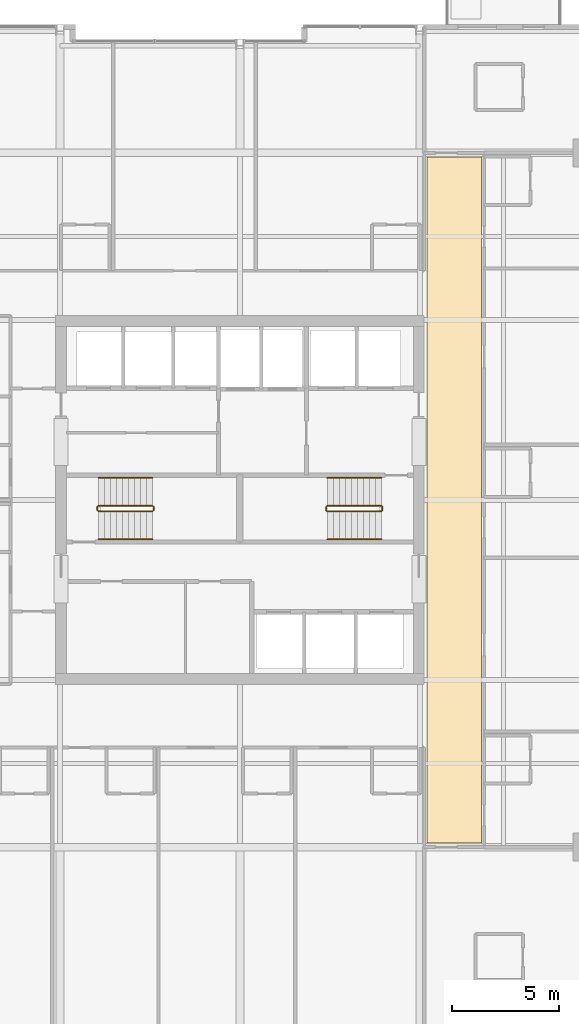
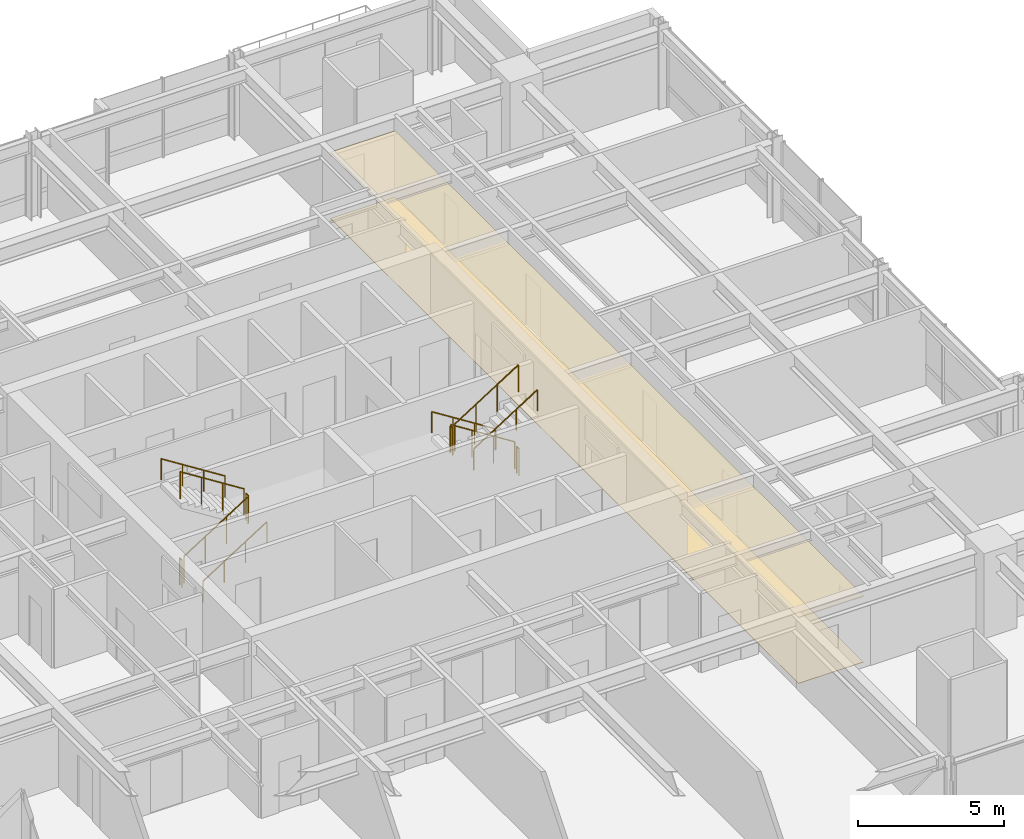
# One storey, part 32 of 33: 12 railings, 2 coverings.
"""IFC4 building model written with IfcOpenShell, lengths in metres."""

from ifc_helpers import new_model, si_unit, direction, frame, origin, origin_2d, place, context, subcontext, project, spatial, polyline, circle, outline, extrude, material, layer, layer_set, type_object, element, save


model = new_model("IFC4")

# Units and contexts
model_context = context("Model", 3, precision=1e-05, world=origin(), true_north=direction((0.0, 1.0)))
body_context = subcontext(model_context, "Body", "Model", "MODEL_VIEW")
ifc_project = project(units=[si_unit("LENGTHUNIT", "METRE"), si_unit("AREAUNIT", "SQUARE_METRE"), si_unit("VOLUMEUNIT", "CUBIC_METRE"), si_unit("PLANEANGLEUNIT", "RADIAN"), si_unit("MASSUNIT", "GRAM", prefix="KILO")], contexts=[model_context])

# Site, building, storey
site_placement = place(None, origin())
site = spatial("IfcSite", under=ifc_project, at=site_placement, CompositionType="ELEMENT")
building_placement = place(site_placement, origin())
building = spatial("IfcBuilding", under=site, at=building_placement, Name="Drelvath Grand Hotel", CompositionType="ELEMENT")
storey_placement = place(building_placement, frame((0.0, 0.0, 178.800048828125)))
storey = spatial("IfcBuildingStorey", under=building, at=storey_placement, Name="L46", CompositionType="ELEMENT", Elevation=178.800048828125)

# Railings
ifc_material_1 = material(Name="Painted Steel S275", Category="steel")
railing_type_1 = type_object("IfcRailingType", Name="Core Stair Wall Handrail 900", PredefinedType="HANDRAIL", material=ifc_material_1)
railing_1_placement = place(storey_placement, frame((-6.60009765625, 25.169921875, 0.177490234375)))
element("IfcRailing", 1, at=railing_1_placement, inside=storey, type_object=railing_type_1, Name="L46 ST-1 stair handrail 1", PredefinedType="HANDRAIL", context=body_context, shape_type="SweptSolid", body=[
    extrude(circle(Radius=0.02392578125, at=origin_2d()), frame((0.0, 0.0, 0.8759765625), z_axis=(0.84460694969, 0.0, 0.535386869969), x_axis=(0.0, 1.0, 0.0)), (0.0, 0.0, 1.0), 2.983642578125),
    extrude(circle(Radius=0.02099609375, at=origin_2d()), origin(), (0.0, 0.0, 1.0), 0.851806640625),
    extrude(circle(Radius=0.02099609375, at=origin_2d()), frame((0.840087890625, 0.0, 0.532470703125)), (0.0, 0.0, 1.0), 0.851806640625),
    extrude(circle(Radius=0.02099609375, at=origin_2d()), frame((1.679931640625, 0.0, 1.06494140625)), (0.0, 0.0, 1.0), 0.851806640625),
    extrude(circle(Radius=0.02099609375, at=origin_2d()), frame((2.52001953125, 0.0, 1.597412109375)), (0.0, 0.0, 1.0), 0.851806640625),
])
railing_2_placement = place(storey_placement, frame((-4.080078125, 28.030029296875, 1.952392578125)))
element("IfcRailing", 2, at=railing_2_placement, inside=storey, type_object=railing_type_1, Name="L46 ST-1 stair handrail 2", PredefinedType="HANDRAIL", context=body_context, shape_type="SweptSolid", body=[
    extrude(circle(Radius=0.02392578125, at=origin_2d()), frame((0.0, 0.0, 0.8759765625), z_axis=(-0.84456994832, 0.0, 0.535445237532), x_axis=(0.0, -1.0, 0.0)), (0.0, 0.0, 1.0), 2.98388671875),
    extrude(circle(Radius=0.02099609375, at=origin_2d()), origin(), (0.0, 0.0, 1.0), 0.851806640625),
    extrude(circle(Radius=0.02099609375, at=origin_2d()), frame((-0.840087890625, 0.0, 0.532470703125)), (0.0, 0.0, 1.0), 0.851806640625),
    extrude(circle(Radius=0.02099609375, at=origin_2d()), frame((-1.679931640625, 0.0, 1.065185546875)), (0.0, 0.0, 1.0), 0.851806640625),
    extrude(circle(Radius=0.02099609375, at=origin_2d()), frame((-2.52001953125, 0.0, 1.59765625)), (0.0, 0.0, 1.0), 0.851806640625),
])
railing_3_placement = place(storey_placement, frame((6.60009765625, 28.030029296875, 0.177490234375)))
element("IfcRailing", 3, at=railing_3_placement, inside=storey, type_object=railing_type_1, Name="L46 ST-2 stair handrail 1", PredefinedType="HANDRAIL", context=body_context, shape_type="SweptSolid", body=[
    extrude(circle(Radius=0.02392578125, at=origin_2d()), frame((0.0, 0.0, 0.8759765625), z_axis=(-0.84460694969, 0.0, 0.535386869969), x_axis=(0.0, -1.0, 0.0)), (0.0, 0.0, 1.0), 2.983642578125),
    extrude(circle(Radius=0.02099609375, at=origin_2d()), origin(), (0.0, 0.0, 1.0), 0.851806640625),
    extrude(circle(Radius=0.02099609375, at=origin_2d()), frame((-0.840087890625, 0.0, 0.532470703125)), (0.0, 0.0, 1.0), 0.851806640625),
    extrude(circle(Radius=0.02099609375, at=origin_2d()), frame((-1.679931640625, 0.0, 1.06494140625)), (0.0, 0.0, 1.0), 0.851806640625),
    extrude(circle(Radius=0.02099609375, at=origin_2d()), frame((-2.52001953125, 0.0, 1.597412109375)), (0.0, 0.0, 1.0), 0.851806640625),
])
railing_4_placement = place(storey_placement, frame((4.080078125, 25.169921875, 1.952392578125)))
element("IfcRailing", 4, at=railing_4_placement, inside=storey, type_object=railing_type_1, Name="L46 ST-2 stair handrail 2", PredefinedType="HANDRAIL", context=body_context, shape_type="SweptSolid", body=[
    extrude(circle(Radius=0.02392578125, at=origin_2d()), frame((0.0, 0.0, 0.8759765625), z_axis=(0.84456994832, 0.0, 0.535445237532), x_axis=(0.0, 1.0, 0.0)), (0.0, 0.0, 1.0), 2.98388671875),
    extrude(circle(Radius=0.02099609375, at=origin_2d()), origin(), (0.0, 0.0, 1.0), 0.851806640625),
    extrude(circle(Radius=0.02099609375, at=origin_2d()), frame((0.840087890625, 0.0, 0.532470703125)), (0.0, 0.0, 1.0), 0.851806640625),
    extrude(circle(Radius=0.02099609375, at=origin_2d()), frame((1.679931640625, 0.0, 1.065185546875)), (0.0, 0.0, 1.0), 0.851806640625),
    extrude(circle(Radius=0.02099609375, at=origin_2d()), frame((2.52001953125, 0.0, 1.59765625)), (0.0, 0.0, 1.0), 0.851806640625),
])
railing_type_2 = type_object("IfcRailingType", Name="Core Stair Well Guardrail 1100", PredefinedType="GUARDRAIL", material=ifc_material_1)
railing_5_placement = place(storey_placement, frame((-6.60009765625, 26.469970703125, 0.177490234375)))
element("IfcRailing", 5, at=railing_5_placement, inside=storey, type_object=railing_type_2, Name="L46 ST-1 stair guard 1", PredefinedType="GUARDRAIL", context=body_context, shape_type="SweptSolid", body=[
    extrude(circle(Radius=0.02392578125, at=origin_2d()), frame((0.0, 0.0, 1.1259765625), z_axis=(0.84460694969, 0.0, 0.535386869969), x_axis=(0.0, 1.0, 0.0)), (0.0, 0.0, 1.0), 2.983642578125),
    extrude(circle(Radius=0.02099609375, at=origin_2d()), origin(), (0.0, 0.0, 1.0), 1.101806640625),
    extrude(circle(Radius=0.02099609375, at=origin_2d()), frame((0.840087890625, 0.0, 0.532470703125)), (0.0, 0.0, 1.0), 1.101806640625),
    extrude(circle(Radius=0.02099609375, at=origin_2d()), frame((1.679931640625, 0.0, 1.06494140625)), (0.0, 0.0, 1.0), 1.101806640625),
    extrude(circle(Radius=0.02099609375, at=origin_2d()), frame((2.52001953125, 0.0, 1.597412109375)), (0.0, 0.0, 1.0), 1.101806640625),
])
railing_6_placement = place(storey_placement, frame((-4.030029296875, 26.52001953125, 1.77490234375)))
element("IfcRailing", 6, at=railing_6_placement, inside=storey, type_object=railing_type_2, Name="L46 ST-1 stair guard 2", PredefinedType="GUARDRAIL", context=body_context, shape_type="SweptSolid", body=[
    extrude(circle(Radius=0.02392578125, at=origin_2d()), frame((0.0, 0.0, 1.1259765625), z_axis=(0.0, 1.0, 0.0), x_axis=(-1.0, 0.0, 0.0)), (0.0, 0.0, 1.0), 0.159912109375),
    extrude(circle(Radius=0.02099609375, at=origin_2d()), origin(), (0.0, 0.0, 1.0), 1.101806640625),
    extrude(circle(Radius=0.02099609375, at=origin_2d()), frame((0.0, 0.159912109375, 0.0)), (0.0, 0.0, 1.0), 1.101806640625),
])
railing_7_placement = place(storey_placement, frame((-4.080078125, 26.72998046875, 1.952392578125)))
element("IfcRailing", 7, at=railing_7_placement, inside=storey, type_object=railing_type_2, Name="L46 ST-1 stair guard 3", PredefinedType="GUARDRAIL", context=body_context, shape_type="SweptSolid", body=[
    extrude(circle(Radius=0.02392578125, at=origin_2d()), frame((0.0, 0.0, 1.1259765625), z_axis=(-0.84456994832, 0.0, 0.535445237532), x_axis=(0.0, -1.0, 0.0)), (0.0, 0.0, 1.0), 2.98388671875),
    extrude(circle(Radius=0.02099609375, at=origin_2d()), origin(), (0.0, 0.0, 1.0), 1.101806640625),
    extrude(circle(Radius=0.02099609375, at=origin_2d()), frame((-0.840087890625, 0.0, 0.532470703125)), (0.0, 0.0, 1.0), 1.101806640625),
    extrude(circle(Radius=0.02099609375, at=origin_2d()), frame((-1.679931640625, 0.0, 1.065185546875)), (0.0, 0.0, 1.0), 1.101806640625),
    extrude(circle(Radius=0.02099609375, at=origin_2d()), frame((-2.52001953125, 0.0, 1.59765625)), (0.0, 0.0, 1.0), 1.101806640625),
])
railing_8_placement = place(storey_placement, frame((-6.64990234375, 26.52001953125, 0.0)))
element("IfcRailing", 8, at=railing_8_placement, inside=storey, type_object=railing_type_2, Name="L46 ST-1 stair guard 4", PredefinedType="GUARDRAIL", context=body_context, shape_type="SweptSolid", body=[
    extrude(circle(Radius=0.02392578125, at=origin_2d()), frame((0.0, 0.0, 1.1259765625), z_axis=(0.0, 1.0, 0.0), x_axis=(-1.0, 0.0, 0.0)), (0.0, 0.0, 1.0), 0.159912109375),
    extrude(circle(Radius=0.02099609375, at=origin_2d()), origin(), (0.0, 0.0, 1.0), 1.101806640625),
    extrude(circle(Radius=0.02099609375, at=origin_2d()), frame((0.0, 0.159912109375, 0.0)), (0.0, 0.0, 1.0), 1.101806640625),
])
railing_9_placement = place(storey_placement, frame((6.60009765625, 26.72998046875, 0.177490234375)))
element("IfcRailing", 9, at=railing_9_placement, inside=storey, type_object=railing_type_2, Name="L46 ST-2 stair guard 1", PredefinedType="GUARDRAIL", context=body_context, shape_type="SweptSolid", body=[
    extrude(circle(Radius=0.02392578125, at=origin_2d()), frame((0.0, 0.0, 1.1259765625), z_axis=(-0.84460694969, 0.0, 0.535386869969), x_axis=(0.0, -1.0, 0.0)), (0.0, 0.0, 1.0), 2.983642578125),
    extrude(circle(Radius=0.02099609375, at=origin_2d()), origin(), (0.0, 0.0, 1.0), 1.101806640625),
    extrude(circle(Radius=0.02099609375, at=origin_2d()), frame((-0.840087890625, 0.0, 0.532470703125)), (0.0, 0.0, 1.0), 1.101806640625),
    extrude(circle(Radius=0.02099609375, at=origin_2d()), frame((-1.679931640625, 0.0, 1.06494140625)), (0.0, 0.0, 1.0), 1.101806640625),
    extrude(circle(Radius=0.02099609375, at=origin_2d()), frame((-2.52001953125, 0.0, 1.597412109375)), (0.0, 0.0, 1.0), 1.101806640625),
])
railing_10_placement = place(storey_placement, frame((4.030029296875, 26.679931640625, 1.77490234375)))
element("IfcRailing", 10, at=railing_10_placement, inside=storey, type_object=railing_type_2, Name="L46 ST-2 stair guard 2", PredefinedType="GUARDRAIL", context=body_context, shape_type="SweptSolid", body=[
    extrude(circle(Radius=0.02392578125, at=origin_2d()), frame((0.0, 0.0, 1.1259765625), z_axis=(0.0, -1.0, 0.0), x_axis=(1.0, 0.0, 0.0)), (0.0, 0.0, 1.0), 0.159912109375),
    extrude(circle(Radius=0.02099609375, at=origin_2d()), origin(), (0.0, 0.0, 1.0), 1.101806640625),
    extrude(circle(Radius=0.02099609375, at=origin_2d()), frame((0.0, -0.159912109375, 0.0)), (0.0, 0.0, 1.0), 1.101806640625),
])
railing_11_placement = place(storey_placement, frame((4.080078125, 26.469970703125, 1.952392578125)))
element("IfcRailing", 11, at=railing_11_placement, inside=storey, type_object=railing_type_2, Name="L46 ST-2 stair guard 3", PredefinedType="GUARDRAIL", context=body_context, shape_type="SweptSolid", body=[
    extrude(circle(Radius=0.02392578125, at=origin_2d()), frame((0.0, 0.0, 1.1259765625), z_axis=(0.84456994832, 0.0, 0.535445237532), x_axis=(0.0, 1.0, 0.0)), (0.0, 0.0, 1.0), 2.98388671875),
    extrude(circle(Radius=0.02099609375, at=origin_2d()), origin(), (0.0, 0.0, 1.0), 1.101806640625),
    extrude(circle(Radius=0.02099609375, at=origin_2d()), frame((0.840087890625, 0.0, 0.532470703125)), (0.0, 0.0, 1.0), 1.101806640625),
    extrude(circle(Radius=0.02099609375, at=origin_2d()), frame((1.679931640625, 0.0, 1.065185546875)), (0.0, 0.0, 1.0), 1.101806640625),
    extrude(circle(Radius=0.02099609375, at=origin_2d()), frame((2.52001953125, 0.0, 1.59765625)), (0.0, 0.0, 1.0), 1.101806640625),
])
railing_12_placement = place(storey_placement, frame((6.64990234375, 26.679931640625, 0.0)))
element("IfcRailing", 12, at=railing_12_placement, inside=storey, type_object=railing_type_2, Name="L46 ST-2 stair guard 4", PredefinedType="GUARDRAIL", context=body_context, shape_type="SweptSolid", body=[
    extrude(circle(Radius=0.02392578125, at=origin_2d()), frame((0.0, 0.0, 1.1259765625), z_axis=(0.0, -1.0, 0.0), x_axis=(1.0, 0.0, 0.0)), (0.0, 0.0, 1.0), 0.159912109375),
    extrude(circle(Radius=0.02099609375, at=origin_2d()), origin(), (0.0, 0.0, 1.0), 1.101806640625),
    extrude(circle(Radius=0.02099609375, at=origin_2d()), frame((0.0, -0.159912109375, 0.0)), (0.0, 0.0, 1.0), 1.101806640625),
])

# Coverings
ifc_material_2 = material(Name="Woven Wool Broadloom Carpet")
ifc_layer_1 = layer(ifc_material_2, 0.01806640625)
ifc_layer_set_1 = layer_set([ifc_layer_1], Name="Woven Wool Broadloom Carpet")
covering_type_1 = type_object("IfcCoveringType", Name="Hospitality Broadloom Carpet 18", PredefinedType="FLOORING", material=ifc_layer_set_1)
covering_1_placement = place(storey_placement, origin())
element("IfcCovering", 13, at=covering_1_placement, inside=storey, type_object=covering_type_1, Name="L46 East Spine Carpet", PredefinedType="FLOORING", context=body_context, shape_type="SweptSolid", body=[
    extrude(outline(polyline([(11.280029296875, 11.0), (11.280029296875, 43.0), (8.719970703125, 43.0), (8.719970703125, 11.0), (11.280029296875, 11.0)])), origin(), (0.0, 0.0, 1.0), 0.01806640625),
])
ifc_material_3 = material(Name="Anodised Aluminium Alloy", Category="aluminium")
ifc_layer_2 = layer(ifc_material_3, 0.0400390625)
ifc_layer_set_2 = layer_set([ifc_layer_2], Name="Anodised Aluminium Alloy")
covering_type_2 = type_object("IfcCoveringType", Name="Perforated Metal Corridor Ceiling 40", PredefinedType="CEILING", material=ifc_layer_set_2)
covering_2_placement = place(storey_placement, frame((0.0, 0.0, 2.739990234375)))
element("IfcCovering", 14, at=covering_2_placement, inside=storey, type_object=covering_type_2, Name="L46 East Spine Ceiling", PredefinedType="CEILING", context=body_context, shape_type="SweptSolid", body=[
    extrude(outline(polyline([(11.280029296875, 11.0), (11.280029296875, 43.0), (8.719970703125, 43.0), (8.719970703125, 11.0), (11.280029296875, 11.0)])), origin(), (0.0, 0.0, 1.0), 0.0400390625),
])

save(model, "model.ifc")
